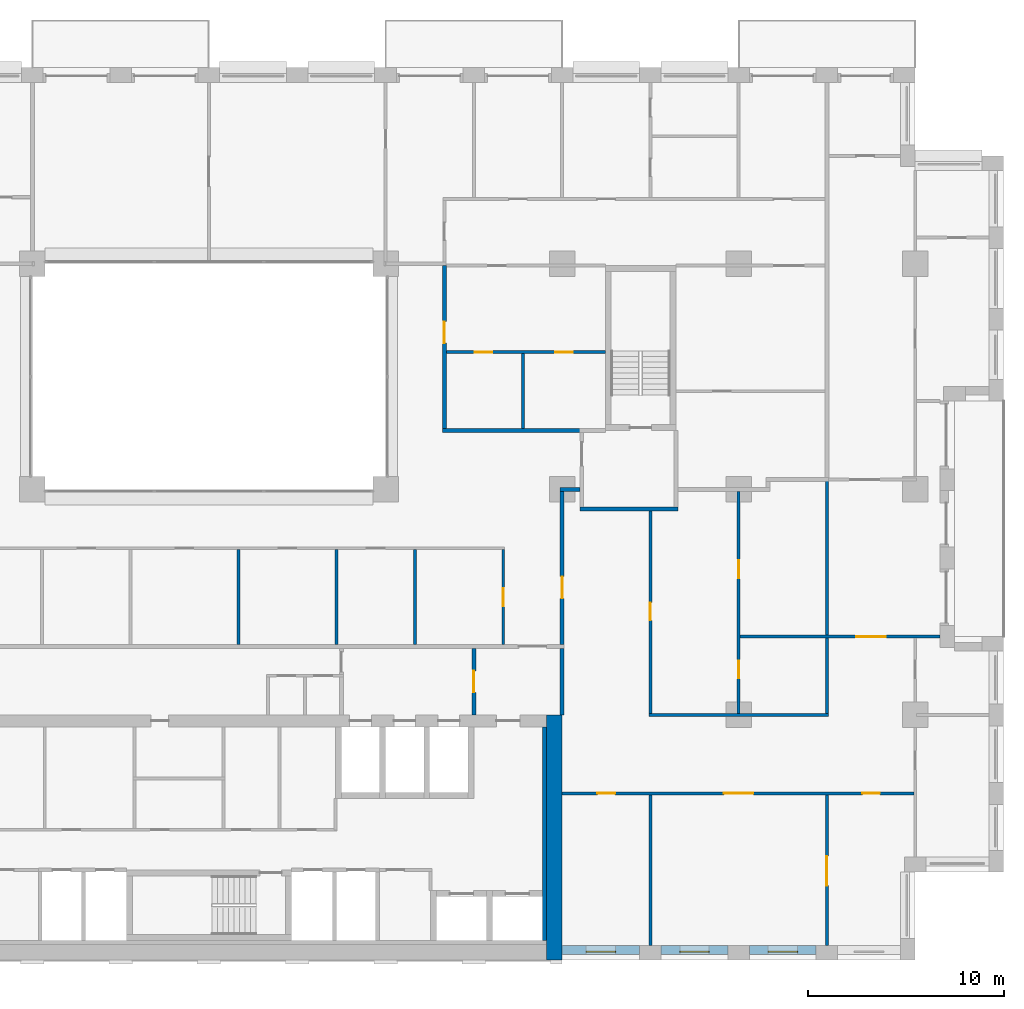
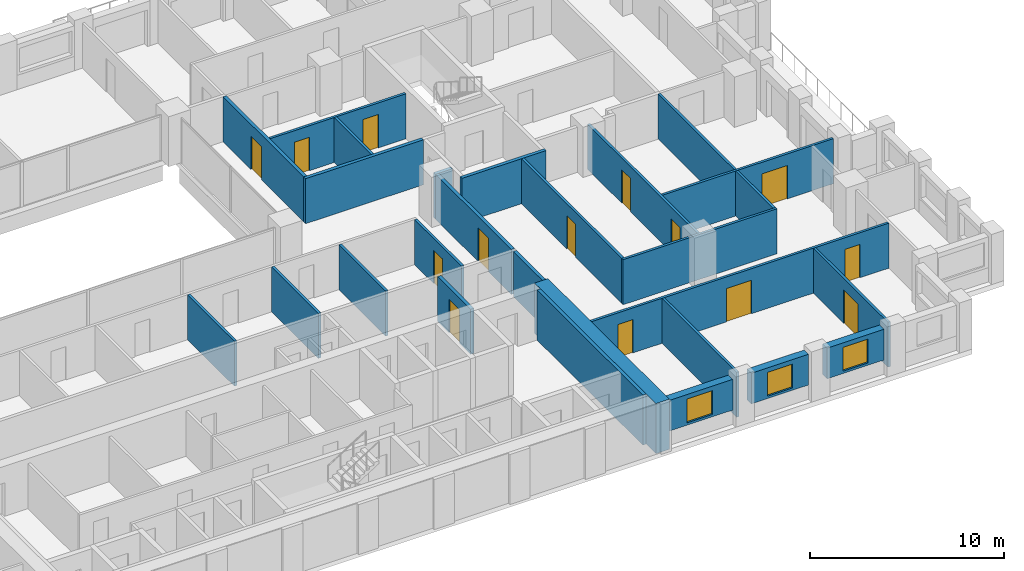
# One storey, part 11 of 16: 27 walls, 14 doors, 3 windows, 17 openings.
"""IFC4 building model written with IfcOpenShell, lengths in metres."""

from ifc_helpers import new_model, si_unit, direction, frame, frame_2d, origin, place, context, subcontext, project, spatial, rectangle, extrude, material, layer, layer_set, type_object, element, fill, save


model = new_model("IFC4")

# Units and contexts
model_context = context("Model", 3, precision=1e-05, world=origin(), true_north=direction((0.0, 1.0)))
body_context = subcontext(model_context, "Body", "Model", "MODEL_VIEW")
ifc_project = project(units=[si_unit("LENGTHUNIT", "METRE"), si_unit("AREAUNIT", "SQUARE_METRE"), si_unit("VOLUMEUNIT", "CUBIC_METRE"), si_unit("PLANEANGLEUNIT", "RADIAN"), si_unit("MASSUNIT", "GRAM", prefix="KILO")], contexts=[model_context])

# Site, building, storey
site_placement = place(None, origin())
site = spatial("IfcSite", under=ifc_project, at=site_placement, CompositionType="ELEMENT")
building_placement = place(site_placement, origin())
building = spatial("IfcBuilding", under=site, at=building_placement, Name="Brigalow Station Residences", CompositionType="ELEMENT")
storey_placement = place(building_placement, frame((0.0, 0.0, 89.85009765625)))
storey = spatial("IfcBuildingStorey", under=building, at=storey_placement, Name="L25", CompositionType="ELEMENT", Elevation=89.85009765625)

# Wall, opening, window
ifc_material_1 = material(Name="Clay brick masonry", Category="masonry")
ifc_layer_1 = layer(ifc_material_1, 0.449951171875)
ifc_layer_set_1 = layer_set([ifc_layer_1], Name="BRICK INFILL WALL 450")
wall_type_1 = type_object("IfcWallType", Name="BRICK INFILL WALL 450", PredefinedType="SOLIDWALL", material=ifc_layer_set_1)
wall_1_placement = place(storey_placement, frame((54.0, 0.52490234375, 0.89990234375), z_axis=(0.0, 0.0, 1.0), x_axis=(1.0, 0.0, 0.0)))
wall_1 = element("IfcWall", 1, at=wall_1_placement, inside=storey, type_object=wall_type_1, Name="L25/ewall/W-L25-4", PredefinedType="SOLIDWALL", context=body_context, shape_type="SweptSolid", body=[
    extrude(rectangle(XDim=3.949951171875, YDim=0.449951171875, at=frame_2d((1.97509765625, 0.0))), origin(), (0.0, 0.0, 1.0), 1.929931640625),
])
opening_1_placement = place(wall_1_placement, frame((1.22509765625, 0.0, 0.14990234375)))
opening_1 = element("IfcOpeningElement", 2, at=opening_1_placement, cuts=wall_1, Name="Opening WT-1", PredefinedType="OPENING", context=body_context, shape_type="SweptSolid", body=[
    extrude(rectangle(XDim=1.5, YDim=1.5, at=frame_2d((0.75, 0.75))), frame((0.0, 0.23486328125, 0.0), z_axis=(0.0, -1.0, 0.0), x_axis=(1.0, 0.0, 0.0)), (0.0, 0.0, 1.0), 0.469970703125),
])
ifc_material_2 = material(Name="Anodised aluminium frame with double glazing", Category="aluminium")
window_type = type_object("IfcWindowType", Name="WINDOW 1500x1500", PartitioningType="SINGLE_PANEL", PredefinedType="WINDOW", material=ifc_material_2)
window_1_placement = place(opening_1_placement, origin())
window_1 = element("IfcWindow", 3, at=window_1_placement, inside=storey, type_object=window_type, Name="L25/window/W-L25-4", OverallHeight=1.5, OverallWidth=1.5, PartitioningType="SINGLE_PANEL", PredefinedType="WINDOW", context=body_context, shape_type="SweptSolid", body=[
    extrude(rectangle(XDim=1.5, YDim=1.5, at=frame_2d((0.75, 0.75))), frame((0.0, -0.06494140625, 0.0), z_axis=(0.0, -1.0, 0.0), x_axis=(1.0, 0.0, 0.0)), (0.0, 0.0, 1.0), 0.06005859375),
])
fill(opening_1, window_1)

wall_2_placement = place(storey_placement, frame((59.050048828125, 0.52490234375, 0.89990234375), z_axis=(0.0, 0.0, 1.0), x_axis=(1.0, 0.0, 0.0)))
wall_2 = element("IfcWall", 4, at=wall_2_placement, inside=storey, type_object=wall_type_1, Name="L25/ewall/W-L25-5", PredefinedType="SOLIDWALL", context=body_context, shape_type="SweptSolid", body=[
    extrude(rectangle(XDim=3.39990234375, YDim=0.449951171875, at=frame_2d((1.699951171875, 0.0))), origin(), (0.0, 0.0, 1.0), 1.929931640625),
])
opening_2_placement = place(wall_2_placement, frame((0.949951171875, 0.0, 0.14990234375)))
opening_2 = element("IfcOpeningElement", 5, at=opening_2_placement, cuts=wall_2, Name="Opening WT-1", PredefinedType="OPENING", context=body_context, shape_type="SweptSolid", body=[
    extrude(rectangle(XDim=1.5, YDim=1.5, at=frame_2d((0.75, 0.75))), frame((0.0, 0.23486328125, 0.0), z_axis=(0.0, -1.0, 0.0), x_axis=(1.0, 0.0, 0.0)), (0.0, 0.0, 1.0), 0.469970703125),
])
window_2_placement = place(opening_2_placement, origin())
window_2 = element("IfcWindow", 6, at=window_2_placement, inside=storey, type_object=window_type, Name="L25/window/W-L25-5", OverallHeight=1.5, OverallWidth=1.5, PartitioningType="SINGLE_PANEL", PredefinedType="WINDOW", context=body_context, shape_type="SweptSolid", body=[
    extrude(rectangle(XDim=1.5, YDim=1.5, at=frame_2d((0.75, 0.75))), frame((0.0, -0.06494140625, 0.0), z_axis=(0.0, -1.0, 0.0), x_axis=(1.0, 0.0, 0.0)), (0.0, 0.0, 1.0), 0.06005859375),
])
fill(opening_2, window_2)

wall_3_placement = place(storey_placement, frame((63.550048828125, 0.52490234375, 0.89990234375), z_axis=(0.0, 0.0, 1.0), x_axis=(1.0, 0.0, 0.0)))
wall_3 = element("IfcWall", 7, at=wall_3_placement, inside=storey, type_object=wall_type_1, Name="L25/ewall/W-L25-6", PredefinedType="SOLIDWALL", context=body_context, shape_type="SweptSolid", body=[
    extrude(rectangle(XDim=3.39990234375, YDim=0.449951171875, at=frame_2d((1.699951171875, 0.0))), origin(), (0.0, 0.0, 1.0), 1.929931640625),
])
opening_3_placement = place(wall_3_placement, frame((0.949951171875, 0.0, 0.14990234375)))
opening_3 = element("IfcOpeningElement", 8, at=opening_3_placement, cuts=wall_3, Name="Opening WT-1", PredefinedType="OPENING", context=body_context, shape_type="SweptSolid", body=[
    extrude(rectangle(XDim=1.5, YDim=1.5, at=frame_2d((0.75, 0.75))), frame((0.0, 0.23486328125, 0.0), z_axis=(0.0, -1.0, 0.0), x_axis=(1.0, 0.0, 0.0)), (0.0, 0.0, 1.0), 0.469970703125),
])
window_3_placement = place(opening_3_placement, origin())
window_3 = element("IfcWindow", 9, at=window_3_placement, inside=storey, type_object=window_type, Name="L25/window/W-L25-6", OverallHeight=1.5, OverallWidth=1.5, PartitioningType="SINGLE_PANEL", PredefinedType="WINDOW", context=body_context, shape_type="SweptSolid", body=[
    extrude(rectangle(XDim=1.5, YDim=1.5, at=frame_2d((0.75, 0.75))), frame((0.0, -0.06494140625, 0.0), z_axis=(0.0, -1.0, 0.0), x_axis=(1.0, 0.0, 0.0)), (0.0, 0.0, 1.0), 0.06005859375),
])
fill(opening_3, window_3)

# Walls
ifc_material_3 = material(Name="Concrete C65", Category="concrete")
ifc_layer_2 = layer(ifc_material_3, 0.199951171875)
ifc_layer_set_2 = layer_set([ifc_layer_2], Name="CORE SHEAR WALL 200 C65")
wall_type_2 = type_object("IfcWallType", Name="CORE SHEAR WALL 200 C65", PredefinedType="SHEAR", material=ifc_layer_set_2)
wall_4_placement = place(storey_placement, frame((53.10009765625, 1.0, 0.0), z_axis=(0.0, 0.0, 1.0), x_axis=(0.0, 1.0, 0.0)))
element("IfcWall", 10, at=wall_4_placement, inside=storey, type_object=wall_type_2, Name="CORE WALL LIN-E L25", PredefinedType="SHEAR", context=body_context, shape_type="SweptSolid", body=[
    extrude(rectangle(XDim=10.89990234375, YDim=0.199951171875, at=frame_2d((5.449951171875, 0.0))), origin(), (0.0, 0.0, 1.0), 3.14990234375),
])
ifc_material_4 = material(Name="Concrete C65", Category="concrete")
ifc_layer_3 = layer(ifc_material_4, 0.800048828125)
ifc_layer_set_3 = layer_set([ifc_layer_3], Name="CORE SHEAR WALL 800 C65")
wall_type_3 = type_object("IfcWallType", Name="CORE SHEAR WALL 800 C65", PredefinedType="SHEAR", material=ifc_layer_set_3)
wall_5_placement = place(storey_placement, frame((53.60009765625, 0.0, 0.0), z_axis=(0.0, 0.0, 1.0), x_axis=(0.0, 1.0, 0.0)))
element("IfcWall", 11, at=wall_5_placement, inside=storey, type_object=wall_type_3, Name="CORE WALL OUT-E L25", PredefinedType="SHEAR", context=body_context, shape_type="SweptSolid", body=[
    extrude(rectangle(XDim=12.5, YDim=0.800048828125, at=frame_2d((6.25, 0.0))), origin(), (0.0, 0.0, 1.0), 3.14990234375),
])
ifc_material_5 = material(Name="Concrete blockwork", Category="masonry")
ifc_layer_4 = layer(ifc_material_5, 0.199951171875)
ifc_layer_set_4 = layer_set([ifc_layer_4], Name="FIRE RATED CORE PARTITION 200")
wall_type_4 = type_object("IfcWallType", Name="FIRE RATED CORE PARTITION 200", PredefinedType="PARTITIONING", material=ifc_layer_set_4)
wall_6_placement = place(storey_placement, frame((54.89990234375, 23.0, 0.0), z_axis=(0.0, 0.0, 1.0), x_axis=(1.0, 0.0, 0.0)))
element("IfcWall", 12, at=wall_6_placement, inside=storey, type_object=wall_type_4, Name="PW-5024", PredefinedType="PARTITIONING", context=body_context, shape_type="SweptSolid", body=[
    extrude(rectangle(XDim=5.0, YDim=0.199951171875, at=frame_2d((2.5, 0.0))), origin(), (0.0, 0.0, 1.0), 2.829833984375),
])

# Wall, opening, door
wall_7_placement = place(storey_placement, frame((49.5, 12.5, 0.0), z_axis=(0.0, 0.0, 1.0), x_axis=(0.0, 1.0, 0.0)))
wall_7 = element("IfcWall", 13, at=wall_7_placement, inside=storey, type_object=wall_type_4, Name="PW-5015", PredefinedType="PARTITIONING", context=body_context, shape_type="SweptSolid", body=[
    extrude(rectangle(XDim=3.39990234375, YDim=0.199951171875, at=frame_2d((1.699951171875, 0.0))), origin(), (0.0, 0.0, 1.0), 2.829833984375),
])
opening_4_placement = place(wall_7_placement, frame((1.14990234375, 0.0, 0.0)))
opening_4 = element("IfcOpeningElement", 14, at=opening_4_placement, cuts=wall_7, Name="Opening D-5014", PredefinedType="OPENING", context=body_context, shape_type="SweptSolid", body=[
    extrude(rectangle(XDim=1.10009765625, YDim=2.10009765625, at=frame_2d((0.550048828125, 1.050048828125))), frame((0.0, 0.10986328125, 0.0), z_axis=(0.0, -1.0, 0.0), x_axis=(1.0, 0.0, 0.0)), (0.0, 0.0, 1.0), 0.219970703125),
])
ifc_material_6 = material(Name="Steel fire door leaf in steel frame", Category="steel")
door_type_1 = type_object("IfcDoorType", Name="LOBBY DOOR 1100 x 2100 FD60S", OperationType="SINGLE_SWING_LEFT", PredefinedType="DOOR", material=ifc_material_6)
door_1_placement = place(opening_4_placement, origin())
door_1 = element("IfcDoor", 15, at=door_1_placement, inside=storey, type_object=door_type_1, Name="D-5014", OperationType="SINGLE_SWING_LEFT", OverallHeight=2.10009765625, OverallWidth=1.10009765625, PredefinedType="DOOR", context=body_context, shape_type="SweptSolid", body=[
    extrude(rectangle(XDim=1.10009765625, YDim=2.10009765625, at=frame_2d((0.550048828125, 1.050048828125))), frame((0.0, 0.02490234375, 0.0), z_axis=(0.0, -1.0, 0.0), x_axis=(1.0, 0.0, 0.0)), (0.0, 0.0, 1.0), 0.050048828125),
])
fill(opening_4, door_1)

# Wall
wall_8_placement = place(storey_placement, frame((54.0, 12.5, 0.0), z_axis=(0.0, 0.0, 1.0), x_axis=(0.0, 1.0, 0.0)))
element("IfcWall", 16, at=wall_8_placement, inside=storey, type_object=wall_type_4, Name="PW-5016", PredefinedType="PARTITIONING", context=body_context, shape_type="SweptSolid", body=[
    extrude(rectangle(XDim=3.39990234375, YDim=0.199951171875, at=frame_2d((1.699951171875, 0.0))), origin(), (0.0, 0.0, 1.0), 2.829833984375),
])

# Wall, openings, doors
ifc_material_7 = material(Name="Plasterboard on steel stud partition", Category="steel")
ifc_layer_5 = layer(ifc_material_7, 0.14990234375)
ifc_layer_set_5 = layer_set([ifc_layer_5], Name="FLAT PARTITION 150")
wall_type_5 = type_object("IfcWallType", Name="FLAT PARTITION 150", PredefinedType="PARTITIONING", material=ifc_layer_set_5)
wall_9_placement = place(storey_placement, frame((54.0, 8.5, 0.0), z_axis=(0.0, 0.0, 1.0), x_axis=(1.0, 0.0, 0.0)))
wall_9 = element("IfcWall", 17, at=wall_9_placement, inside=storey, type_object=wall_type_5, Name="PW-2A12", PredefinedType="PARTITIONING", context=body_context, shape_type="SweptSolid", body=[
    extrude(rectangle(XDim=17.925048828125, YDim=0.14990234375, at=frame_2d((8.96240234375, 0.0))), origin(), (0.0, 0.0, 1.0), 2.829833984375),
])
opening_5_placement = place(wall_9_placement, frame((1.800048828125, 0.0, 0.0)))
opening_5 = element("IfcOpeningElement", 18, at=opening_5_placement, cuts=wall_9, Name="Opening D-2A35", PredefinedType="OPENING", context=body_context, shape_type="SweptSolid", body=[
    extrude(rectangle(XDim=0.89990234375, YDim=2.10009765625, at=frame_2d((0.449951171875, 1.050048828125))), frame((0.0, 0.0849609375, 0.0), z_axis=(0.0, -1.0, 0.0), x_axis=(1.0, 0.0, 0.0)), (0.0, 0.0, 1.0), 0.169921875),
])
opening_6_placement = place(wall_9_placement, frame((8.25, 0.0, 0.0)))
opening_6 = element("IfcOpeningElement", 19, at=opening_6_placement, cuts=wall_9, Name="Opening D-2A36", PredefinedType="OPENING", context=body_context, shape_type="SweptSolid", body=[
    extrude(rectangle(XDim=1.5, YDim=2.10009765625, at=frame_2d((0.75, 1.050048828125))), frame((0.0, 0.0849609375, 0.0), z_axis=(0.0, -1.0, 0.0), x_axis=(1.0, 0.0, 0.0)), (0.0, 0.0, 1.0), 0.169921875),
])
opening_7_placement = place(wall_9_placement, frame((15.300048828125, 0.0, 0.0)))
opening_7 = element("IfcOpeningElement", 20, at=opening_7_placement, cuts=wall_9, Name="Opening D-2A37", PredefinedType="OPENING", context=body_context, shape_type="SweptSolid", body=[
    extrude(rectangle(XDim=0.89990234375, YDim=2.10009765625, at=frame_2d((0.449951171875, 1.050048828125))), frame((0.0, 0.0849609375, 0.0), z_axis=(0.0, -1.0, 0.0), x_axis=(1.0, 0.0, 0.0)), (0.0, 0.0, 1.0), 0.169921875),
])
ifc_material_8 = material(Name="Solid-core timber door leaf", Category="wood")
door_type_2 = type_object("IfcDoorType", Name="INTERNAL DOOR 900 x 2100", OperationType="SINGLE_SWING_LEFT", PredefinedType="DOOR", material=ifc_material_8)
door_2_placement = place(opening_5_placement, frame((0.89990234375, 0.0, 0.0), z_axis=(0.0, 0.0, 1.0), x_axis=(-1.0, 0.0, 0.0)))
door_2 = element("IfcDoor", 21, at=door_2_placement, inside=storey, type_object=door_type_2, Name="D-2A35", OperationType="SINGLE_SWING_LEFT", OverallHeight=2.10009765625, OverallWidth=0.89990234375, PredefinedType="DOOR", context=body_context, shape_type="SweptSolid", body=[
    extrude(rectangle(XDim=0.89990234375, YDim=2.10009765625, at=frame_2d((0.449951171875, 1.050048828125))), frame((0.0, 0.02490234375, 0.0), z_axis=(0.0, -1.0, 0.0), x_axis=(1.0, 0.0, 0.0)), (0.0, 0.0, 1.0), 0.050048828125),
])
fill(opening_5, door_2)
door_3_placement = place(opening_7_placement, frame((0.89990234375, 0.0, 0.0), z_axis=(0.0, 0.0, 1.0), x_axis=(-1.0, 0.0, 0.0)))
door_3 = element("IfcDoor", 22, at=door_3_placement, inside=storey, type_object=door_type_2, Name="D-2A37", OperationType="SINGLE_SWING_RIGHT", OverallHeight=2.10009765625, OverallWidth=0.89990234375, PredefinedType="DOOR", context=body_context, shape_type="SweptSolid", body=[
    extrude(rectangle(XDim=0.89990234375, YDim=2.10009765625, at=frame_2d((0.449951171875, 1.050048828125))), frame((0.0, 0.02490234375, 0.0), z_axis=(0.0, -1.0, 0.0), x_axis=(1.0, 0.0, 0.0)), (0.0, 0.0, 1.0), 0.050048828125),
])
fill(opening_7, door_3)
ifc_material_9 = material(Name="Solid-core timber door leaf", Category="wood")
door_type_3 = type_object("IfcDoorType", Name="INTERNAL DOUBLE DOOR 1500 x 2100", OperationType="DOUBLE_DOOR_SINGLE_SWING", PredefinedType="DOOR", material=ifc_material_9)
door_4_placement = place(opening_6_placement, frame((1.5, 0.0, 0.0), z_axis=(0.0, 0.0, 1.0), x_axis=(-1.0, 0.0, 0.0)))
door_4 = element("IfcDoor", 23, at=door_4_placement, inside=storey, type_object=door_type_3, Name="D-2A36", OperationType="DOUBLE_DOOR_SINGLE_SWING", OverallHeight=2.10009765625, OverallWidth=1.5, PredefinedType="DOOR", context=body_context, shape_type="SweptSolid", body=[
    extrude(rectangle(XDim=1.5, YDim=2.10009765625, at=frame_2d((0.75, 1.050048828125))), frame((0.0, 0.02490234375, 0.0), z_axis=(0.0, -1.0, 0.0), x_axis=(1.0, 0.0, 0.0)), (0.0, 0.0, 1.0), 0.050048828125),
])
fill(opening_6, door_4)

# Wall, opening, door
wall_10_placement = place(storey_placement, frame((63.074951171875, 16.5, 0.0), z_axis=(0.0, 0.0, 1.0), x_axis=(1.0, 0.0, 0.0)))
wall_10 = element("IfcWall", 24, at=wall_10_placement, inside=storey, type_object=wall_type_5, Name="PW-2A15", PredefinedType="PARTITIONING", context=body_context, shape_type="SweptSolid", body=[
    extrude(rectangle(XDim=10.175048828125, YDim=0.14990234375, at=frame_2d((5.08740234375, 0.0))), origin(), (0.0, 0.0, 1.0), 2.829833984375),
])
opening_8_placement = place(wall_10_placement, frame((5.925048828125, 0.0, 0.0)))
opening_8 = element("IfcOpeningElement", 25, at=opening_8_placement, cuts=wall_10, Name="Opening D-2A44", PredefinedType="OPENING", context=body_context, shape_type="SweptSolid", body=[
    extrude(rectangle(XDim=1.5, YDim=2.10009765625, at=frame_2d((0.75, 1.050048828125))), frame((0.0, 0.0849609375, 0.0), z_axis=(0.0, -1.0, 0.0), x_axis=(1.0, 0.0, 0.0)), (0.0, 0.0, 1.0), 0.169921875),
])
door_5_placement = place(opening_8_placement, origin())
door_5 = element("IfcDoor", 26, at=door_5_placement, inside=storey, type_object=door_type_3, Name="D-2A44", OperationType="DOUBLE_DOOR_SINGLE_SWING", OverallHeight=2.10009765625, OverallWidth=1.5, PredefinedType="DOOR", context=body_context, shape_type="SweptSolid", body=[
    extrude(rectangle(XDim=1.5, YDim=2.10009765625, at=frame_2d((0.75, 1.050048828125))), frame((0.0, 0.02490234375, 0.0), z_axis=(0.0, -1.0, 0.0), x_axis=(1.0, 0.0, 0.0)), (0.0, 0.0, 1.0), 0.050048828125),
])
fill(opening_8, door_5)

# Wall
wall_11_placement = place(storey_placement, frame((58.425048828125, 12.5, 0.0), z_axis=(0.0, 0.0, 1.0), x_axis=(1.0, 0.0, 0.0)))
element("IfcWall", 27, at=wall_11_placement, inside=storey, type_object=wall_type_5, Name="PW-2A17", PredefinedType="PARTITIONING", context=body_context, shape_type="SweptSolid", body=[
    extrude(rectangle(XDim=9.14990234375, YDim=0.14990234375, at=frame_2d((4.574951171875, 0.0))), origin(), (0.0, 0.0, 1.0), 2.829833984375),
])

# Wall, openings, doors
wall_12_placement = place(storey_placement, frame((48.10009765625, 31.0, 0.0), z_axis=(0.0, 0.0, 1.0), x_axis=(1.0, 0.0, 0.0)))
wall_12 = element("IfcWall", 28, at=wall_12_placement, inside=storey, type_object=wall_type_5, Name="PW-2A35", PredefinedType="PARTITIONING", context=body_context, shape_type="SweptSolid", body=[
    extrude(rectangle(XDim=8.099853515625, YDim=0.14990234375, at=frame_2d((4.0498046875, 0.0))), origin(), (0.0, 0.0, 1.0), 2.829833984375),
])
opening_9_placement = place(wall_12_placement, frame((1.449951171875, 0.0, 0.0)))
opening_9 = element("IfcOpeningElement", 29, at=opening_9_placement, cuts=wall_12, Name="Opening D-2A21", PredefinedType="OPENING", context=body_context, shape_type="SweptSolid", body=[
    extrude(rectangle(XDim=0.89990234375, YDim=2.10009765625, at=frame_2d((0.449951171875, 1.050048828125))), frame((0.0, 0.0849609375, 0.0), z_axis=(0.0, -1.0, 0.0), x_axis=(1.0, 0.0, 0.0)), (0.0, 0.0, 1.0), 0.169921875),
])
opening_10_placement = place(wall_12_placement, frame((5.550048828125, 0.0, 0.0)))
opening_10 = element("IfcOpeningElement", 30, at=opening_10_placement, cuts=wall_12, Name="Opening D-2A22", PredefinedType="OPENING", context=body_context, shape_type="SweptSolid", body=[
    extrude(rectangle(XDim=0.89990234375, YDim=2.10009765625, at=frame_2d((0.449951171875, 1.050048828125))), frame((0.0, 0.0849609375, 0.0), z_axis=(0.0, -1.0, 0.0), x_axis=(1.0, 0.0, 0.0)), (0.0, 0.0, 1.0), 0.169921875),
])
door_6_placement = place(opening_9_placement, frame((0.89990234375, 0.0, 0.0), z_axis=(0.0, 0.0, 1.0), x_axis=(-1.0, 0.0, 0.0)))
door_6 = element("IfcDoor", 31, at=door_6_placement, inside=storey, type_object=door_type_2, Name="D-2A21", OperationType="SINGLE_SWING_RIGHT", OverallHeight=2.10009765625, OverallWidth=0.89990234375, PredefinedType="DOOR", context=body_context, shape_type="SweptSolid", body=[
    extrude(rectangle(XDim=0.89990234375, YDim=2.10009765625, at=frame_2d((0.449951171875, 1.050048828125))), frame((0.0, 0.02490234375, 0.0), z_axis=(0.0, -1.0, 0.0), x_axis=(1.0, 0.0, 0.0)), (0.0, 0.0, 1.0), 0.050048828125),
])
fill(opening_9, door_6)
door_7_placement = place(opening_10_placement, frame((0.89990234375, 0.0, 0.0), z_axis=(0.0, 0.0, 1.0), x_axis=(-1.0, 0.0, 0.0)))
door_7 = element("IfcDoor", 32, at=door_7_placement, inside=storey, type_object=door_type_2, Name="D-2A22", OperationType="SINGLE_SWING_RIGHT", OverallHeight=2.10009765625, OverallWidth=0.89990234375, PredefinedType="DOOR", context=body_context, shape_type="SweptSolid", body=[
    extrude(rectangle(XDim=0.89990234375, YDim=2.10009765625, at=frame_2d((0.449951171875, 1.050048828125))), frame((0.0, 0.02490234375, 0.0), z_axis=(0.0, -1.0, 0.0), x_axis=(1.0, 0.0, 0.0)), (0.0, 0.0, 1.0), 0.050048828125),
])
fill(opening_10, door_7)

# Wall, opening, door
wall_13_placement = place(storey_placement, frame((51.0, 16.10009765625, 0.0), z_axis=(0.0, 0.0, 1.0), x_axis=(0.0, 1.0, 0.0)))
wall_13 = element("IfcWall", 33, at=wall_13_placement, inside=storey, type_object=wall_type_5, Name="PW-2A44", PredefinedType="PARTITIONING", context=body_context, shape_type="SweptSolid", body=[
    extrude(rectangle(XDim=4.824951171875, YDim=0.14990234375, at=frame_2d((2.41259765625, 0.0))), origin(), (0.0, 0.0, 1.0), 2.829833984375),
])
opening_11_placement = place(wall_13_placement, frame((1.949951171875, 0.0, 0.0)))
opening_11 = element("IfcOpeningElement", 34, at=opening_11_placement, cuts=wall_13, Name="Opening D-2A54", PredefinedType="OPENING", context=body_context, shape_type="SweptSolid", body=[
    extrude(rectangle(XDim=0.89990234375, YDim=2.10009765625, at=frame_2d((0.449951171875, 1.050048828125))), frame((0.0, 0.0849609375, 0.0), z_axis=(0.0, -1.0, 0.0), x_axis=(1.0, 0.0, 0.0)), (0.0, 0.0, 1.0), 0.169921875),
])
door_8_placement = place(opening_11_placement, origin())
door_8 = element("IfcDoor", 35, at=door_8_placement, inside=storey, type_object=door_type_2, Name="D-2A54", OperationType="SINGLE_SWING_LEFT", OverallHeight=2.10009765625, OverallWidth=0.89990234375, PredefinedType="DOOR", context=body_context, shape_type="SweptSolid", body=[
    extrude(rectangle(XDim=0.89990234375, YDim=2.10009765625, at=frame_2d((0.449951171875, 1.050048828125))), frame((0.0, 0.02490234375, 0.0), z_axis=(0.0, -1.0, 0.0), x_axis=(1.0, 0.0, 0.0)), (0.0, 0.0, 1.0), 0.050048828125),
])
fill(opening_11, door_8)

# Wall
wall_14_placement = place(storey_placement, frame((52.0, 27.10009765625, 0.0), z_axis=(0.0, 0.0, 1.0), x_axis=(0.0, 1.0, 0.0)))
element("IfcWall", 36, at=wall_14_placement, inside=storey, type_object=wall_type_5, Name="PW-2A59", PredefinedType="PARTITIONING", context=body_context, shape_type="SweptSolid", body=[
    extrude(rectangle(XDim=3.824951171875, YDim=0.14990234375, at=frame_2d((1.91259765625, 0.0))), origin(), (0.0, 0.0, 1.0), 2.829833984375),
])

# Wall, opening, door
wall_15_placement = place(storey_placement, frame((67.5, 0.75, 0.0), z_axis=(0.0, 0.0, 1.0), x_axis=(0.0, 1.0, 0.0)))
wall_15 = element("IfcWall", 37, at=wall_15_placement, inside=storey, type_object=wall_type_5, Name="PW-2A60", PredefinedType="PARTITIONING", context=body_context, shape_type="SweptSolid", body=[
    extrude(rectangle(XDim=7.675048828125, YDim=0.14990234375, at=frame_2d((3.83740234375, 0.0))), origin(), (0.0, 0.0, 1.0), 2.829833984375),
])
opening_12_placement = place(wall_15_placement, frame((3.050048828125, 0.0, 0.0)))
opening_12 = element("IfcOpeningElement", 38, at=opening_12_placement, cuts=wall_15, Name="Opening D-2A38", PredefinedType="OPENING", context=body_context, shape_type="SweptSolid", body=[
    extrude(rectangle(XDim=1.5, YDim=2.10009765625, at=frame_2d((0.75, 1.050048828125))), frame((0.0, 0.0849609375, 0.0), z_axis=(0.0, -1.0, 0.0), x_axis=(1.0, 0.0, 0.0)), (0.0, 0.0, 1.0), 0.169921875),
])
door_9_placement = place(opening_12_placement, frame((1.5, 0.0, 0.0), z_axis=(0.0, 0.0, 1.0), x_axis=(-1.0, 0.0, 0.0)))
door_9 = element("IfcDoor", 39, at=door_9_placement, inside=storey, type_object=door_type_3, Name="D-2A38", OperationType="DOUBLE_DOOR_SINGLE_SWING", OverallHeight=2.10009765625, OverallWidth=1.5, PredefinedType="DOOR", context=body_context, shape_type="SweptSolid", body=[
    extrude(rectangle(XDim=1.5, YDim=2.10009765625, at=frame_2d((0.75, 1.050048828125))), frame((0.0, 0.02490234375, 0.0), z_axis=(0.0, -1.0, 0.0), x_axis=(1.0, 0.0, 0.0)), (0.0, 0.0, 1.0), 0.050048828125),
])
fill(opening_12, door_9)

# Walls
wall_16_placement = place(storey_placement, frame((67.5, 12.574951171875, 0.0), z_axis=(0.0, 0.0, 1.0), x_axis=(0.0, 1.0, 0.0)))
element("IfcWall", 40, at=wall_16_placement, inside=storey, type_object=wall_type_5, Name="PW-2A61", PredefinedType="PARTITIONING", context=body_context, shape_type="SweptSolid", body=[
    extrude(rectangle(XDim=3.85009765625, YDim=0.14990234375, at=frame_2d((1.925048828125, 0.0))), origin(), (0.0, 0.0, 1.0), 2.829833984375),
])
wall_17_placement = place(storey_placement, frame((67.5, 16.574951171875, 0.0), z_axis=(0.0, 0.0, 1.0), x_axis=(0.0, 1.0, 0.0)))
element("IfcWall", 41, at=wall_17_placement, inside=storey, type_object=wall_type_5, Name="PW-2A62", PredefinedType="PARTITIONING", context=body_context, shape_type="SweptSolid", body=[
    extrude(rectangle(XDim=7.85009765625, YDim=0.14990234375, at=frame_2d((3.925048828125, 0.0))), origin(), (0.0, 0.0, 1.0), 2.829833984375),
])
wall_18_placement = place(storey_placement, frame((58.5, 0.75, 0.0), z_axis=(0.0, 0.0, 1.0), x_axis=(0.0, 1.0, 0.0)))
element("IfcWall", 42, at=wall_18_placement, inside=storey, type_object=wall_type_5, Name="PW-2A64", PredefinedType="PARTITIONING", context=body_context, shape_type="SweptSolid", body=[
    extrude(rectangle(XDim=7.675048828125, YDim=0.14990234375, at=frame_2d((3.83740234375, 0.0))), origin(), (0.0, 0.0, 1.0), 2.829833984375),
])

# Wall, opening, door
wall_19_placement = place(storey_placement, frame((58.5, 12.574951171875, 0.0), z_axis=(0.0, 0.0, 1.0), x_axis=(0.0, 1.0, 0.0)))
wall_19 = element("IfcWall", 43, at=wall_19_placement, inside=storey, type_object=wall_type_5, Name="PW-2A65", PredefinedType="PARTITIONING", context=body_context, shape_type="SweptSolid", body=[
    extrude(rectangle(XDim=10.324951171875, YDim=0.14990234375, at=frame_2d((5.16259765625, 0.0))), origin(), (0.0, 0.0, 1.0), 2.829833984375),
])
opening_13_placement = place(wall_19_placement, frame((4.75, 0.0, 0.0)))
opening_13 = element("IfcOpeningElement", 44, at=opening_13_placement, cuts=wall_19, Name="Opening D-2A40", PredefinedType="OPENING", context=body_context, shape_type="SweptSolid", body=[
    extrude(rectangle(XDim=0.89990234375, YDim=2.10009765625, at=frame_2d((0.449951171875, 1.050048828125))), frame((0.0, 0.0849609375, 0.0), z_axis=(0.0, -1.0, 0.0), x_axis=(1.0, 0.0, 0.0)), (0.0, 0.0, 1.0), 0.169921875),
])
door_10_placement = place(opening_13_placement, frame((0.89990234375, 0.0, 0.0), z_axis=(0.0, 0.0, 1.0), x_axis=(-1.0, 0.0, 0.0)))
door_10 = element("IfcDoor", 45, at=door_10_placement, inside=storey, type_object=door_type_2, Name="D-2A40", OperationType="SINGLE_SWING_LEFT", OverallHeight=2.10009765625, OverallWidth=0.89990234375, PredefinedType="DOOR", context=body_context, shape_type="SweptSolid", body=[
    extrude(rectangle(XDim=0.89990234375, YDim=2.10009765625, at=frame_2d((0.449951171875, 1.050048828125))), frame((0.0, 0.02490234375, 0.0), z_axis=(0.0, -1.0, 0.0), x_axis=(1.0, 0.0, 0.0)), (0.0, 0.0, 1.0), 0.050048828125),
])
fill(opening_13, door_10)

# Wall, openings, doors
wall_20_placement = place(storey_placement, frame((63.0, 12.574951171875, 0.0), z_axis=(0.0, 0.0, 1.0), x_axis=(0.0, 1.0, 0.0)))
wall_20 = element("IfcWall", 46, at=wall_20_placement, inside=storey, type_object=wall_type_5, Name="PW-2A67", PredefinedType="PARTITIONING", context=body_context, shape_type="SweptSolid", body=[
    extrude(rectangle(XDim=11.324951171875, YDim=0.14990234375, at=frame_2d((5.66259765625, 0.0))), origin(), (0.0, 0.0, 1.0), 2.829833984375),
])
opening_14_placement = place(wall_20_placement, frame((1.800048828125, 0.0, 0.0)))
opening_14 = element("IfcOpeningElement", 47, at=opening_14_placement, cuts=wall_20, Name="Opening D-2A41", PredefinedType="OPENING", context=body_context, shape_type="SweptSolid", body=[
    extrude(rectangle(XDim=0.89990234375, YDim=2.10009765625, at=frame_2d((0.449951171875, 1.050048828125))), frame((0.0, 0.0849609375, 0.0), z_axis=(0.0, -1.0, 0.0), x_axis=(1.0, 0.0, 0.0)), (0.0, 0.0, 1.0), 0.169921875),
])
opening_15_placement = place(wall_20_placement, frame((6.89990234375, 0.0, 0.0)))
opening_15 = element("IfcOpeningElement", 48, at=opening_15_placement, cuts=wall_20, Name="Opening D-2A42", PredefinedType="OPENING", context=body_context, shape_type="SweptSolid", body=[
    extrude(rectangle(XDim=0.89990234375, YDim=2.10009765625, at=frame_2d((0.449951171875, 1.050048828125))), frame((0.0, 0.0849609375, 0.0), z_axis=(0.0, -1.0, 0.0), x_axis=(1.0, 0.0, 0.0)), (0.0, 0.0, 1.0), 0.169921875),
])
door_11_placement = place(opening_14_placement, frame((0.89990234375, 0.0, 0.0), z_axis=(0.0, 0.0, 1.0), x_axis=(-1.0, 0.0, 0.0)))
door_11 = element("IfcDoor", 49, at=door_11_placement, inside=storey, type_object=door_type_2, Name="D-2A41", OperationType="SINGLE_SWING_LEFT", OverallHeight=2.10009765625, OverallWidth=0.89990234375, PredefinedType="DOOR", context=body_context, shape_type="SweptSolid", body=[
    extrude(rectangle(XDim=0.89990234375, YDim=2.10009765625, at=frame_2d((0.449951171875, 1.050048828125))), frame((0.0, 0.02490234375, 0.0), z_axis=(0.0, -1.0, 0.0), x_axis=(1.0, 0.0, 0.0)), (0.0, 0.0, 1.0), 0.050048828125),
])
fill(opening_14, door_11)
door_12_placement = place(opening_15_placement, frame((0.89990234375, 0.0, 0.0), z_axis=(0.0, 0.0, 1.0), x_axis=(-1.0, 0.0, 0.0)))
door_12 = element("IfcDoor", 50, at=door_12_placement, inside=storey, type_object=door_type_2, Name="D-2A42", OperationType="SINGLE_SWING_RIGHT", OverallHeight=2.10009765625, OverallWidth=0.89990234375, PredefinedType="DOOR", context=body_context, shape_type="SweptSolid", body=[
    extrude(rectangle(XDim=0.89990234375, YDim=2.10009765625, at=frame_2d((0.449951171875, 1.050048828125))), frame((0.0, 0.02490234375, 0.0), z_axis=(0.0, -1.0, 0.0), x_axis=(1.0, 0.0, 0.0)), (0.0, 0.0, 1.0), 0.050048828125),
])
fill(opening_15, door_12)

# Walls
for number, where, z_axis, x_axis, name in (
    (51, (37.5, 16.10009765625, 0.0), (0.0, 0.0, 1.0), (0.0, 1.0, 0.0), "PW-2A74"),
    (52, (42.5, 16.10009765625, 0.0), (0.0, 0.0, 1.0), (0.0, 1.0, 0.0), "PW-2A75"),
    (53, (46.5, 16.10009765625, 0.0), (0.0, 0.0, 1.0), (0.0, 1.0, 0.0), "PW-2A76"),
):
    element("IfcWall", number, at=place(storey_placement, frame(where, z_axis=z_axis, x_axis=x_axis)), inside=storey, type_object=wall_type_5, Name=name, PredefinedType="PARTITIONING", context=body_context, shape_type="SweptSolid", body=[
        extrude(rectangle(XDim=4.824951171875, YDim=0.14990234375, at=frame_2d((2.41259765625, 0.0))), origin(), (0.0, 0.0, 1.0), 2.829833984375),
    ])
ifc_material_10 = material(Name="Plasterboard on steel stud partition", Category="steel")
ifc_layer_6 = layer(ifc_material_10, 0.199951171875)
ifc_layer_set_6 = layer_set([ifc_layer_6], Name="PARTY AND CORRIDOR WALL 200")
wall_type_6 = type_object("IfcWallType", Name="PARTY AND CORRIDOR WALL 200", PredefinedType="PARTITIONING", material=ifc_layer_set_6)
wall_21_placement = place(storey_placement, frame((53.89990234375, 24.0, 0.0), z_axis=(0.0, 0.0, 1.0), x_axis=(1.0, 0.0, 0.0)))
element("IfcWall", 54, at=wall_21_placement, inside=storey, type_object=wall_type_6, Name="PW-2A03", PredefinedType="PARTITIONING", context=body_context, shape_type="SweptSolid", body=[
    extrude(rectangle(XDim=1.0, YDim=0.199951171875, at=frame_2d((0.5, 0.0))), origin(), (0.0, 0.0, 1.0), 2.829833984375),
])
wall_22_placement = place(storey_placement, frame((47.89990234375, 27.0, 0.0), z_axis=(0.0, 0.0, 1.0), x_axis=(1.0, 0.0, 0.0)))
element("IfcWall", 55, at=wall_22_placement, inside=storey, type_object=wall_type_6, Name="PW-2A06", PredefinedType="PARTITIONING", context=body_context, shape_type="SweptSolid", body=[
    extrude(rectangle(XDim=7.0, YDim=0.199951171875, at=frame_2d((3.5, 0.0))), origin(), (0.0, 0.0, 1.0), 2.829833984375),
])

# Wall, opening, door
wall_23_placement = place(storey_placement, frame((54.0, 16.10009765625, 0.0), z_axis=(0.0, 0.0, 1.0), x_axis=(0.0, 1.0, 0.0)))
wall_23 = element("IfcWall", 56, at=wall_23_placement, inside=storey, type_object=wall_type_6, Name="PW-2A42", PredefinedType="PARTITIONING", context=body_context, shape_type="SweptSolid", body=[
    extrude(rectangle(XDim=7.7998046875, YDim=0.199951171875, at=frame_2d((3.89990234375, 0.0))), origin(), (0.0, 0.0, 1.0), 2.829833984375),
])
opening_16_placement = place(wall_23_placement, frame((2.35009765625, 0.0, 0.0)))
opening_16 = element("IfcOpeningElement", 57, at=opening_16_placement, cuts=wall_23, Name="Opening D-2A34", PredefinedType="OPENING", context=body_context, shape_type="SweptSolid", body=[
    extrude(rectangle(XDim=1.10009765625, YDim=2.10009765625, at=frame_2d((0.550048828125, 1.050048828125))), frame((0.0, 0.10986328125, 0.0), z_axis=(0.0, -1.0, 0.0), x_axis=(1.0, 0.0, 0.0)), (0.0, 0.0, 1.0), 0.219970703125),
])
ifc_material_11 = material(Name="Solid-core timber door leaf", Category="wood")
door_type_4 = type_object("IfcDoorType", Name="FLAT ENTRANCE DOOR 1100 x 2100 FRL -/60/30", OperationType="SINGLE_SWING_LEFT", PredefinedType="DOOR", material=ifc_material_11)
door_13_placement = place(opening_16_placement, frame((1.10009765625, 0.0, 0.0), z_axis=(0.0, 0.0, 1.0), x_axis=(-1.0, 0.0, 0.0)))
door_13 = element("IfcDoor", 58, at=door_13_placement, inside=storey, type_object=door_type_4, Name="D-2A34", OperationType="SINGLE_SWING_LEFT", OverallHeight=2.10009765625, OverallWidth=1.10009765625, PredefinedType="DOOR", context=body_context, shape_type="SweptSolid", body=[
    extrude(rectangle(XDim=1.10009765625, YDim=2.10009765625, at=frame_2d((0.550048828125, 1.050048828125))), frame((0.0, 0.02490234375, 0.0), z_axis=(0.0, -1.0, 0.0), x_axis=(1.0, 0.0, 0.0)), (0.0, 0.0, 1.0), 0.050048828125),
])
fill(opening_16, door_13)

wall_24_placement = place(storey_placement, frame((48.0, 27.10009765625, 0.0), z_axis=(0.0, 0.0, 1.0), x_axis=(0.0, 1.0, 0.0)))
wall_24 = element("IfcWall", 59, at=wall_24_placement, inside=storey, type_object=wall_type_6, Name="PW-2A47", PredefinedType="PARTITIONING", context=body_context, shape_type="SweptSolid", body=[
    extrude(rectangle(XDim=8.2998046875, YDim=0.199951171875, at=frame_2d((4.14990234375, 0.0))), origin(), (0.0, 0.0, 1.0), 2.829833984375),
])
opening_17_placement = place(wall_24_placement, frame((4.35009765625, 0.0, 0.0)))
opening_17 = element("IfcOpeningElement", 60, at=opening_17_placement, cuts=wall_24, Name="Opening D-2A20", PredefinedType="OPENING", context=body_context, shape_type="SweptSolid", body=[
    extrude(rectangle(XDim=1.10009765625, YDim=2.10009765625, at=frame_2d((0.550048828125, 1.050048828125))), frame((0.0, 0.10986328125, 0.0), z_axis=(0.0, -1.0, 0.0), x_axis=(1.0, 0.0, 0.0)), (0.0, 0.0, 1.0), 0.219970703125),
])
door_14_placement = place(opening_17_placement, frame((1.10009765625, 0.0, 0.0), z_axis=(0.0, 0.0, 1.0), x_axis=(-1.0, 0.0, 0.0)))
door_14 = element("IfcDoor", 61, at=door_14_placement, inside=storey, type_object=door_type_4, Name="D-2A20", OperationType="SINGLE_SWING_RIGHT", OverallHeight=2.10009765625, OverallWidth=1.10009765625, PredefinedType="DOOR", context=body_context, shape_type="SweptSolid", body=[
    extrude(rectangle(XDim=1.10009765625, YDim=2.10009765625, at=frame_2d((0.550048828125, 1.050048828125))), frame((0.0, 0.02490234375, 0.0), z_axis=(0.0, -1.0, 0.0), x_axis=(1.0, 0.0, 0.0)), (0.0, 0.0, 1.0), 0.050048828125),
])
fill(opening_17, door_14)

save(model, "model.ifc")
